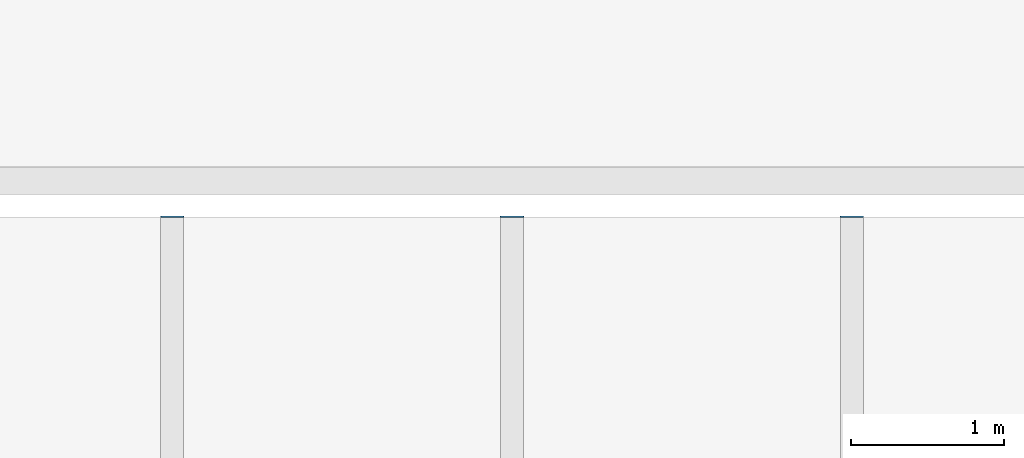
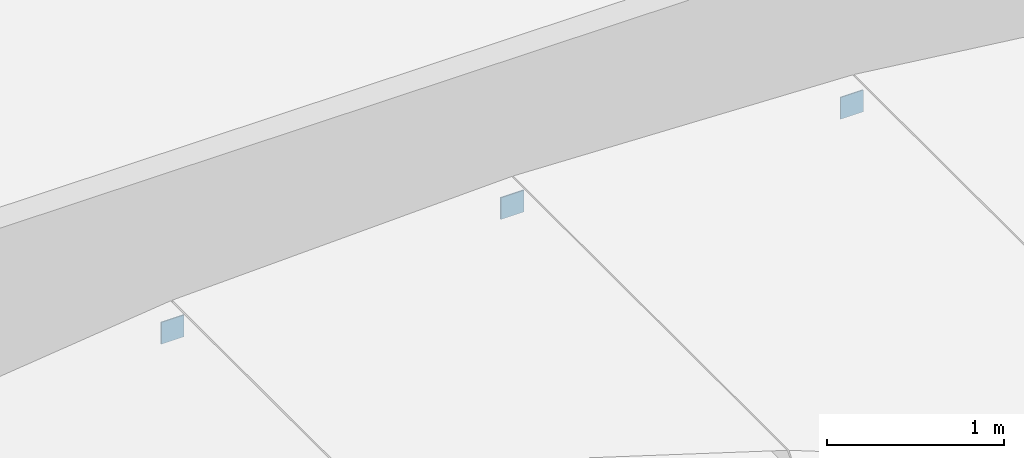
# One storey, part 39 of 47: 3 discrete accessories.
"""IFC4 building model written with IfcOpenShell, lengths in metres."""

from ifc_helpers import new_model, si_unit, direction, frame, origin, origin_2d, place, context, subcontext, project, spatial, rectangle, extrude, material, material_profile, profile_set, type_object, element, save


model = new_model("IFC4")

# Units and contexts
model_context = context("Model", 3, precision=1e-05, world=origin(), true_north=direction((0.0, 1.0)))
body_context = subcontext(model_context, "Body", "Model", "MODEL_VIEW")
ifc_project = project(units=[si_unit("LENGTHUNIT", "METRE"), si_unit("AREAUNIT", "SQUARE_METRE"), si_unit("VOLUMEUNIT", "CUBIC_METRE"), si_unit("PLANEANGLEUNIT", "RADIAN"), si_unit("MASSUNIT", "GRAM", prefix="KILO")], contexts=[model_context])

# Site, building, storey
site_placement = place(None, origin())
site = spatial("IfcSite", under=ifc_project, at=site_placement, CompositionType="ELEMENT")
building_placement = place(site_placement, origin())
building = spatial("IfcBuilding", under=site, at=building_placement, Name="Laocheng Heights Fire and Rescue Headquarters", CompositionType="ELEMENT")
storey_placement = place(building_placement, frame((0.0, 0.0, 16.800048828125)))
storey = spatial("IfcBuildingStorey", under=building, at=storey_placement, Name="L04", CompositionType="ELEMENT", Elevation=16.800048828125)

# Discrete accessories
ifc_material = material(Name="Steel Q355B", Category="steel")
ifc_material_profile = material_profile(ifc_material, rectangle(XDim=0.14990234375, YDim=0.14990234375, at=origin_2d()), Name="END CAP PLATE 150 x 150 x 8 FOR BAY ROOF PURLIN SHS 150x150x8")
ifc_profile_set = profile_set([ifc_material_profile], Name="Steel Q355B")
discrete_accessory_type = type_object("IfcDiscreteAccessoryType", Name="END CAP PLATE 150 x 150 x 8 FOR BAY ROOF PURLIN SHS 150x150x8", PredefinedType="BRACKET", material=ifc_profile_set)
for number, where, z_axis, x_axis, name in (
    (1, (33.785400390625, 21.60009765625, 0.1279296875), (0.0, 1.0, 0.0), (-1.0, 0.0, 0.0), "Cap plate at Purlin 8.3 end 2"),
    (2, (36.0, 21.60009765625, 0.2119140625), (0.0, 1.0, 0.0), (-1.0, 0.0, 0.0), "Cap plate at Purlin 9.3 end 2"),
    (3, (38.214599609375, 21.60009765625, 0.1279296875), (0.0, 1.0, 0.0), (-1.0, 0.0, 0.0), "Cap plate at Purlin 10.3 end 2"),
):
    element("IfcDiscreteAccessory", number, at=place(storey_placement, frame(where, z_axis=z_axis, x_axis=x_axis)), inside=storey, type_object=discrete_accessory_type, Name=name, PredefinedType="BRACKET", context=body_context, shape_type="SweptSolid", body=[
        extrude(rectangle(XDim=0.14990234375, YDim=0.14990234375, at=origin_2d()), origin(), (0.0, 0.0, 1.0), 0.0078125),
    ])

save(model, "model.ifc")
